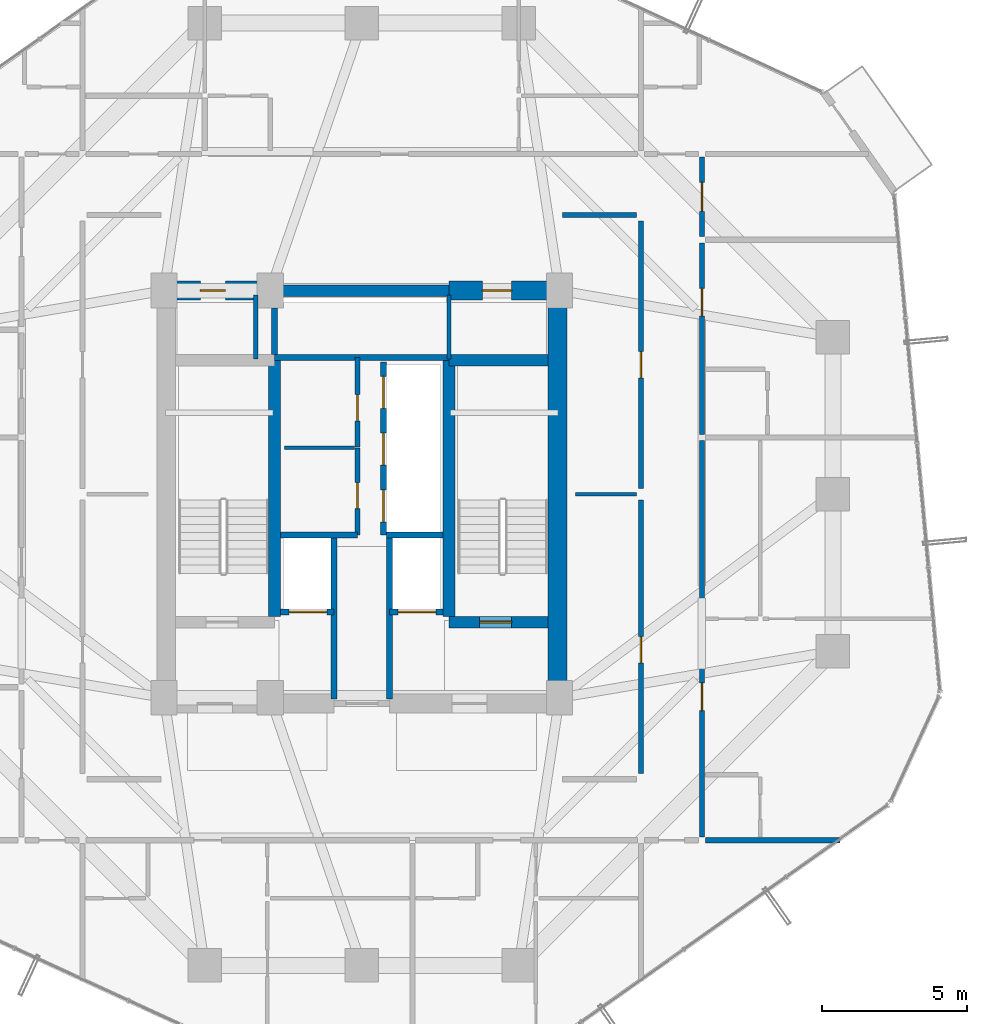
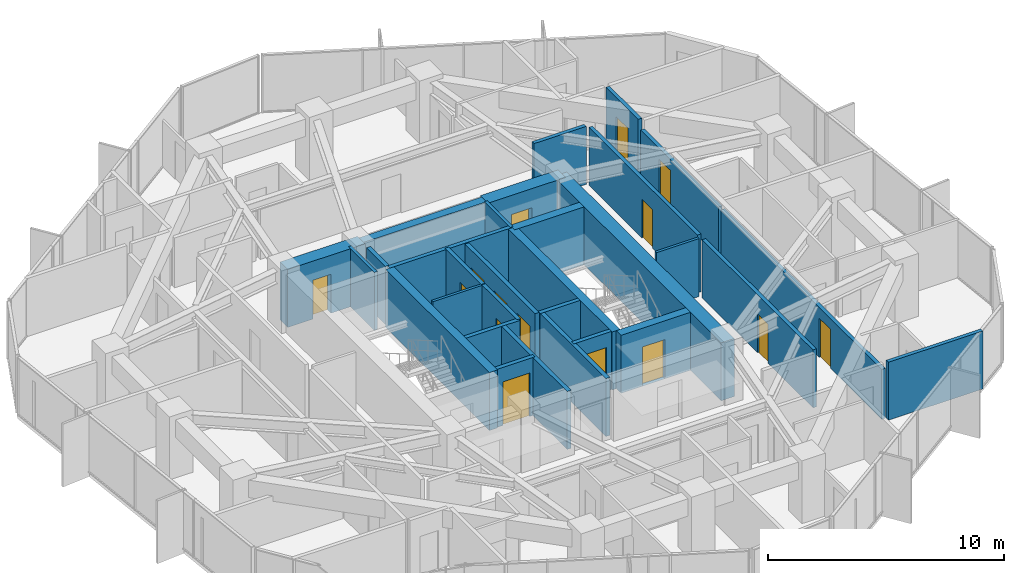
# One storey, part 29 of 33: 30 walls, 15 doors, 15 openings.
"""IFC4 building model written with IfcOpenShell, lengths in metres."""

from ifc_helpers import new_model, si_unit, direction, frame, frame_2d, origin, place, context, subcontext, project, spatial, rectangle, extrude, source, transform, mapped, material, layer, layer_set, type_object, element, fill, save


model = new_model("IFC4")

# Units and contexts
model_context = context("Model", 3, precision=1e-05, world=origin(), true_north=direction((0.0, 1.0)))
body_context = subcontext(model_context, "Body", "Model", "MODEL_VIEW")
ifc_project = project(units=[si_unit("LENGTHUNIT", "METRE"), si_unit("AREAUNIT", "SQUARE_METRE"), si_unit("VOLUMEUNIT", "CUBIC_METRE"), si_unit("PLANEANGLEUNIT", "RADIAN"), si_unit("MASSUNIT", "GRAM", prefix="KILO")], contexts=[model_context])

# Site, building, storey
site_placement = place(None, origin())
site = spatial("IfcSite", under=ifc_project, at=site_placement, CompositionType="ELEMENT")
building_placement = place(site_placement, origin())
building = spatial("IfcBuilding", under=site, at=building_placement, Name="Veraguas Prism Commons", CompositionType="ELEMENT")
storey_placement = place(building_placement, frame((0.0, 0.0, 145.75)))
storey = spatial("IfcBuildingStorey", under=building, at=storey_placement, Name="L41", CompositionType="ELEMENT", Elevation=145.75)

# Wall
ifc_material_1 = material(Name="Concrete C50/60", Category="concrete")
ifc_layer_1 = layer(ifc_material_1, 0.39990234375, Name="Clinic and Mid Core Shear Wall RC 400", Category="concrete")
ifc_layer_set_1 = layer_set([ifc_layer_1], Name="Concrete C50/60")
wall_type_1 = type_object("IfcWallType", Name="Clinic and Mid Core Shear Wall RC 400", PredefinedType="SHEAR", material=ifc_layer_set_1)
wall_1_placement = place(storey_placement, frame((21.0, 31.0, 0.0), z_axis=(0.0, 0.0, 1.0), x_axis=(1.0, 0.0, 0.0)))
element("IfcWall", 1, at=wall_1_placement, inside=storey, type_object=wall_type_1, Name="High-Rise Lift Bank Front Shear Wall L41", PredefinedType="SHEAR", context=body_context, shape_type="SweptSolid", body=[
    extrude(rectangle(XDim=6.0, YDim=0.39990234375, at=frame_2d((3.0, 0.0))), origin(), (0.0, 0.0, 1.0), 3.0),
])

# Wall, opening, door
wall_2_placement = place(storey_placement, frame((27.0, 19.60009765625, 0.0), z_axis=(0.0, 0.0, 1.0), x_axis=(1.0, 0.0, 0.0)))
wall_2 = element("IfcWall", 2, at=wall_2_placement, inside=storey, type_object=wall_type_1, Name="Stair ST-02 South Shear Wall L41", PredefinedType="SHEAR", context=body_context, shape_type="SweptSolid", body=[
    extrude(rectangle(XDim=3.39990234375, YDim=0.39990234375, at=frame_2d((1.699951171875, 0.0))), origin(), (0.0, 0.0, 1.0), 3.0),
])
opening_1_placement = place(wall_2_placement, frame((1.050048828125, 0.0, 0.0)))
opening_1 = element("IfcOpeningElement", 3, at=opening_1_placement, cuts=wall_2, Name="Opening DR-05", PredefinedType="OPENING", context=body_context, shape_type="SweptSolid", body=[
    extrude(rectangle(XDim=1.10009765625, YDim=2.030029296875, at=frame_2d((0.550048828125, 1.01513671875))), frame((0.0, 0.2099609375, 0.0), z_axis=(0.0, -1.0, 0.0), x_axis=(1.0, 0.0, 0.0)), (0.0, 0.0, 1.0), 0.419921875),
])
ifc_material_2 = material(Name="Steel fire-rated door assembly", Category="steel")
door_type_1 = type_object("IfcDoorType", Name="Protected Stair and Refuge Fire Door 1100x2030", OperationType="NOTDEFINED", PredefinedType="DOOR", material=ifc_material_2)
shared_shape_1 = source(origin(), body_context, "Body", "SweptSolid", [
    extrude(rectangle(XDim=1.10009765625, YDim=2.030029296875, at=frame_2d((0.550048828125, 1.01513671875))), frame((0.0, 0.02490234375, 0.0), z_axis=(0.0, -1.0, 0.0), x_axis=(1.0, 0.0, 0.0)), (0.0, 0.0, 1.0), 0.050048828125),
])
door_1_placement = place(opening_1_placement, origin())
door_1 = element("IfcDoor", 4, at=door_1_placement, inside=storey, type_object=door_type_1, Name="Stair ST-02 Enclosure Door L41", OperationType="SINGLE_SWING_LEFT", OverallHeight=2.030029296875, OverallWidth=1.10009765625, PredefinedType="DOOR", context=body_context, shape_type="MappedRepresentation", body=[
    mapped(shared_shape_1, transform((0.0, 0.0, 0.0), scale=1.0)),
])
fill(opening_1, door_1)

# Walls
for number, where, z_axis, x_axis, name in (
    (5, (21.0, 19.800048828125, 0.0), (0.0, 0.0, 1.0), (0.0, 1.0, 0.0), "Stair ST-01 Inner Shear Wall L41"),
    (6, (27.0, 19.800048828125, 0.0), (0.0, 0.0, 1.0), (0.0, 1.0, 0.0), "Stair ST-02 Inner Shear Wall L41"),
):
    element("IfcWall", number, at=place(storey_placement, frame(where, z_axis=z_axis, x_axis=x_axis)), inside=storey, type_object=wall_type_1, Name=name, PredefinedType="SHEAR", context=body_context, shape_type="SweptSolid", body=[
        extrude(rectangle(XDim=8.800048828125, YDim=0.39990234375, at=frame_2d((4.39990234375, 0.0))), origin(), (0.0, 0.0, 1.0), 3.0),
    ])
wall_3_placement = place(storey_placement, frame((27.0, 28.60009765625, 0.0), z_axis=(0.0, 0.0, 1.0), x_axis=(1.0, 0.0, 0.0)))
element("IfcWall", 7, at=wall_3_placement, inside=storey, type_object=wall_type_1, Name="Stair ST-02 North Shear Wall L41", PredefinedType="SHEAR", context=body_context, shape_type="SweptSolid", body=[
    extrude(rectangle(XDim=3.39990234375, YDim=0.39990234375, at=frame_2d((1.699951171875, 0.0))), origin(), (0.0, 0.0, 1.0), 3.0),
])
ifc_material_3 = material(Name="Concrete C55/67", Category="concrete")
ifc_layer_2 = layer(ifc_material_3, 0.64990234375, Name="Core Outer Shear Wall Mid RC 650", Category="concrete")
ifc_layer_set_2 = layer_set([ifc_layer_2], Name="Concrete C55/67")
wall_type_2 = type_object("IfcWallType", Name="Core Outer Shear Wall Mid RC 650", PredefinedType="SHEAR", material=ifc_layer_set_2)
wall_4_placement = place(storey_placement, frame((30.72509765625, 16.800048828125, 0.0), z_axis=(0.0, 0.0, 1.0), x_axis=(0.0, 1.0, 0.0)))
element("IfcWall", 8, at=wall_4_placement, inside=storey, type_object=wall_type_2, Name="Central Core East Shear Wall L41", PredefinedType="SHEAR", context=body_context, shape_type="SweptSolid", body=[
    extrude(rectangle(XDim=14.199951171875, YDim=0.64990234375, at=frame_2d((7.10009765625, 0.0))), origin(), (0.0, 0.0, 1.0), 3.0),
])

# Wall, opening, door
wall_5_placement = place(storey_placement, frame((17.199951171875, 31.0, 0.0), z_axis=(0.0, 0.0, 1.0), x_axis=(1.0, 0.0, 0.0)))
wall_5 = element("IfcWall", 9, at=wall_5_placement, inside=storey, type_object=wall_type_2, Name="Central Core North-West Shear Wall L41", PredefinedType="SHEAR", context=body_context, shape_type="SweptSolid", body=[
    extrude(rectangle(XDim=3.800048828125, YDim=0.64990234375, at=frame_2d((1.89990234375, 0.0))), origin(), (0.0, 0.0, 1.0), 3.0),
])
opening_2_placement = place(wall_5_placement, frame((1.25, 0.0, 0.0)))
opening_2 = element("IfcOpeningElement", 10, at=opening_2_placement, cuts=wall_5, Name="Opening DR-12", PredefinedType="OPENING", context=body_context, shape_type="SweptSolid", body=[
    extrude(rectangle(XDim=0.860107421875, YDim=2.010009765625, at=frame_2d((0.43017578125, 1.0048828125))), frame((0.0, 0.3349609375, 0.0), z_axis=(0.0, -1.0, 0.0), x_axis=(1.0, 0.0, 0.0)), (0.0, 0.0, 1.0), 0.669921875),
])
door_type_2 = type_object("IfcDoorType", Name="Core WC Fire Door 860x2010", OperationType="NOTDEFINED", PredefinedType="DOOR", material=ifc_material_2)
shared_shape_2 = source(origin(), body_context, "Body", "SweptSolid", [
    extrude(rectangle(XDim=0.860107421875, YDim=2.010009765625, at=frame_2d((0.43017578125, 1.0048828125))), frame((0.0, 0.02490234375, 0.0), z_axis=(0.0, -1.0, 0.0), x_axis=(1.0, 0.0, 0.0)), (0.0, 0.0, 1.0), 0.050048828125),
])
door_2_placement = place(opening_2_placement, origin())
door_2 = element("IfcDoor", 11, at=door_2_placement, inside=storey, type_object=door_type_2, Name="Core NW Service Door L41", OperationType="SINGLE_SWING_RIGHT", OverallHeight=2.010009765625, OverallWidth=0.860107421875, PredefinedType="DOOR", context=body_context, shape_type="MappedRepresentation", body=[
    mapped(shared_shape_2, transform((0.0, 0.0, 0.0), scale=1.0)),
])
fill(opening_2, door_2)

wall_6_placement = place(storey_placement, frame((27.0, 31.0, 0.0), z_axis=(0.0, 0.0, 1.0), x_axis=(1.0, 0.0, 0.0)))
wall_6 = element("IfcWall", 12, at=wall_6_placement, inside=storey, type_object=wall_type_2, Name="Central Core North-East Shear Wall L41", PredefinedType="SHEAR", context=body_context, shape_type="SweptSolid", body=[
    extrude(rectangle(XDim=3.800048828125, YDim=0.64990234375, at=frame_2d((1.89990234375, 0.0))), origin(), (0.0, 0.0, 1.0), 3.0),
])
opening_3_placement = place(wall_6_placement, frame((1.14990234375, 0.0, 0.0)))
opening_3 = element("IfcOpeningElement", 13, at=opening_3_placement, cuts=wall_6, Name="Opening DR-13", PredefinedType="OPENING", context=body_context, shape_type="SweptSolid", body=[
    extrude(rectangle(XDim=1.0, YDim=2.010009765625, at=frame_2d((0.5, 1.0048828125))), frame((0.0, 0.3349609375, 0.0), z_axis=(0.0, -1.0, 0.0), x_axis=(1.0, 0.0, 0.0)), (0.0, 0.0, 1.0), 0.669921875),
])
door_type_3 = type_object("IfcDoorType", Name="Core Accessible WC and Clinic Fire Door 1000x2010", OperationType="NOTDEFINED", PredefinedType="DOOR", material=ifc_material_2)
shared_shape_3 = source(origin(), body_context, "Body", "SweptSolid", [
    extrude(rectangle(XDim=1.0, YDim=2.010009765625, at=frame_2d((0.5, 1.0048828125))), frame((0.0, 0.02490234375, 0.0), z_axis=(0.0, -1.0, 0.0), x_axis=(1.0, 0.0, 0.0)), (0.0, 0.0, 1.0), 0.050048828125),
])
door_3_placement = place(opening_3_placement, origin())
door_3 = element("IfcDoor", 14, at=door_3_placement, inside=storey, type_object=door_type_3, Name="Core NE Pantry Door L41", OperationType="SINGLE_SWING_LEFT", OverallHeight=2.010009765625, OverallWidth=1.0, PredefinedType="DOOR", context=body_context, shape_type="MappedRepresentation", body=[
    mapped(shared_shape_3, transform((0.0, 0.0, 0.0), scale=1.0)),
])
fill(opening_3, door_3)

ifc_material_4 = material(Name="Autoclaved aerated masonry block 10 MPa", Category="masonry")
ifc_layer_3 = layer(ifc_material_4, 0.179931640625, Name="Corridor and Inter-Tenancy Partition 180", Category="masonry")
ifc_layer_set_3 = layer_set([ifc_layer_3], Name="Autoclaved aerated masonry block 10 MPa")
wall_type_3 = type_object("IfcWallType", Name="Corridor and Inter-Tenancy Partition 180", PredefinedType="PARTITIONING", material=ifc_layer_set_3)
wall_7_placement = place(storey_placement, frame((23.85009765625, 22.60009765625, 0.0), z_axis=(0.0, 0.0, 1.0), x_axis=(0.0, 1.0, 0.0)))
wall_7 = element("IfcWall", 15, at=wall_7_placement, inside=storey, type_object=wall_type_3, Name="Co-op Pantry Partition L41", PredefinedType="PARTITIONING", context=body_context, shape_type="SweptSolid", body=[
    extrude(rectangle(XDim=2.97998046875, YDim=0.179931640625, at=frame_2d((1.489990234375, 0.0))), origin(), (0.0, 0.0, 1.0), 3.0),
])
opening_4_placement = place(wall_7_placement, frame((0.89990234375, 0.0, 0.0)))
opening_4 = element("IfcOpeningElement", 16, at=opening_4_placement, cuts=wall_7, Name="Opening DR-14", PredefinedType="OPENING", context=body_context, shape_type="SweptSolid", body=[
    extrude(rectangle(XDim=0.89990234375, YDim=2.010009765625, at=frame_2d((0.449951171875, 1.0048828125))), frame((0.0, 0.099853515625, 0.0), z_axis=(0.0, -1.0, 0.0), x_axis=(1.0, 0.0, 0.0)), (0.0, 0.0, 1.0), 0.199951171875),
])
door_type_4 = type_object("IfcDoorType", Name="Core Service Room Fire Door 900x2010", OperationType="NOTDEFINED", PredefinedType="DOOR", material=ifc_material_2)
shared_shape_4 = source(origin(), body_context, "Body", "SweptSolid", [
    extrude(rectangle(XDim=0.89990234375, YDim=2.010009765625, at=frame_2d((0.449951171875, 1.0048828125))), frame((0.0, 0.02490234375, 0.0), z_axis=(0.0, -1.0, 0.0), x_axis=(1.0, 0.0, 0.0)), (0.0, 0.0, 1.0), 0.050048828125),
])
door_4_placement = place(opening_4_placement, origin())
door_4 = element("IfcDoor", 17, at=door_4_placement, inside=storey, type_object=door_type_4, Name="Co-op Pantry Door L41", OperationType="SINGLE_SWING_RIGHT", OverallHeight=2.010009765625, OverallWidth=0.89990234375, PredefinedType="DOOR", context=body_context, shape_type="MappedRepresentation", body=[
    mapped(shared_shape_4, transform((0.0, 0.0, 0.0), scale=1.0)),
])
fill(opening_4, door_4)

wall_8_placement = place(storey_placement, frame((23.85009765625, 25.6201171875, 0.0), z_axis=(0.0, 0.0, 1.0), x_axis=(0.0, 1.0, 0.0)))
wall_8 = element("IfcWall", 18, at=wall_8_placement, inside=storey, type_object=wall_type_3, Name="Bookshop Alcove Partition L41", PredefinedType="PARTITIONING", context=body_context, shape_type="SweptSolid", body=[
    extrude(rectangle(XDim=3.079833984375, YDim=0.179931640625, at=frame_2d((1.5400390625, 0.0))), origin(), (0.0, 0.0, 1.0), 3.0),
])
opening_5_placement = place(wall_8_placement, frame((0.89990234375, 0.0, 0.0)))
opening_5 = element("IfcOpeningElement", 19, at=opening_5_placement, cuts=wall_8, Name="Opening DR-14", PredefinedType="OPENING", context=body_context, shape_type="SweptSolid", body=[
    extrude(rectangle(XDim=0.89990234375, YDim=2.010009765625, at=frame_2d((0.449951171875, 1.0048828125))), frame((0.0, 0.099853515625, 0.0), z_axis=(0.0, -1.0, 0.0), x_axis=(1.0, 0.0, 0.0)), (0.0, 0.0, 1.0), 0.199951171875),
])
door_5_placement = place(opening_5_placement, origin())
door_5 = element("IfcDoor", 20, at=door_5_placement, inside=storey, type_object=door_type_4, Name="Bookshop Alcove Door L41", OperationType="SINGLE_SWING_LEFT", OverallHeight=2.010009765625, OverallWidth=0.89990234375, PredefinedType="DOOR", context=body_context, shape_type="MappedRepresentation", body=[
    mapped(shared_shape_4, transform((0.0, 0.0, 0.0), scale=1.0)),
])
fill(opening_5, door_5)

wall_9_placement = place(storey_placement, frame((33.60009765625, 14.39990234375, 0.0), z_axis=(0.0, 0.0, 1.0), x_axis=(0.0, 1.0, 0.0)))
wall_9 = element("IfcWall", 21, at=wall_9_placement, inside=storey, type_object=wall_type_3, Name="WL-L41-IRE1", PredefinedType="PARTITIONING", context=body_context, shape_type="SweptSolid", body=[
    extrude(rectangle(XDim=9.400146484375, YDim=0.179931640625, at=frame_2d((4.7001953125, 0.0))), origin(), (0.0, 0.0, 1.0), 3.0),
])
opening_6_placement = place(wall_9_placement, frame((3.800048828125, 0.0, 0.0)))
opening_6 = element("IfcOpeningElement", 22, at=opening_6_placement, cuts=wall_9, Name="Opening DR-14", PredefinedType="OPENING", context=body_context, shape_type="SweptSolid", body=[
    extrude(rectangle(XDim=0.89990234375, YDim=2.010009765625, at=frame_2d((0.449951171875, 1.0048828125))), frame((0.0, 0.099853515625, 0.0), z_axis=(0.0, -1.0, 0.0), x_axis=(1.0, 0.0, 0.0)), (0.0, 0.0, 1.0), 0.199951171875),
])
door_6_placement = place(opening_6_placement, origin())
door_6 = element("IfcDoor", 23, at=door_6_placement, inside=storey, type_object=door_type_4, Name="Shared Laundry Annex Door L41", OperationType="SINGLE_SWING_RIGHT", OverallHeight=2.010009765625, OverallWidth=0.89990234375, PredefinedType="DOOR", context=body_context, shape_type="MappedRepresentation", body=[
    mapped(shared_shape_4, transform((0.0, 0.0, 0.0), scale=1.0)),
])
fill(opening_6, door_6)

wall_10_placement = place(storey_placement, frame((33.60009765625, 24.199951171875, 0.0), z_axis=(0.0, 0.0, 1.0), x_axis=(0.0, 1.0, 0.0)))
wall_10 = element("IfcWall", 24, at=wall_10_placement, inside=storey, type_object=wall_type_3, Name="WL-L41-IRE2", PredefinedType="PARTITIONING", context=body_context, shape_type="SweptSolid", body=[
    extrude(rectangle(XDim=9.199951171875, YDim=0.179931640625, at=frame_2d((4.60009765625, 0.0))), origin(), (0.0, 0.0, 1.0), 3.0),
])
opening_7_placement = place(wall_10_placement, frame((3.800048828125, 0.0, 0.0)))
opening_7 = element("IfcOpeningElement", 25, at=opening_7_placement, cuts=wall_10, Name="Opening DR-14", PredefinedType="OPENING", context=body_context, shape_type="SweptSolid", body=[
    extrude(rectangle(XDim=0.89990234375, YDim=2.010009765625, at=frame_2d((0.449951171875, 1.0048828125))), frame((0.0, 0.099853515625, 0.0), z_axis=(0.0, -1.0, 0.0), x_axis=(1.0, 0.0, 0.0)), (0.0, 0.0, 1.0), 0.199951171875),
])
door_7_placement = place(opening_7_placement, origin())
door_7 = element("IfcDoor", 26, at=door_7_placement, inside=storey, type_object=door_type_4, Name="Community Reading Alcove Door L41", OperationType="SINGLE_SWING_LEFT", OverallHeight=2.010009765625, OverallWidth=0.89990234375, PredefinedType="DOOR", context=body_context, shape_type="MappedRepresentation", body=[
    mapped(shared_shape_4, transform((0.0, 0.0, 0.0), scale=1.0)),
])
fill(opening_7, door_7)

# Walls
wall_11_placement = place(storey_placement, frame((30.89990234375, 33.60009765625, 0.0), z_axis=(0.0, 0.0, 1.0), x_axis=(1.0, 0.0, 0.0)))
element("IfcWall", 27, at=wall_11_placement, inside=storey, type_object=wall_type_3, Name="WL-L41-IREN", PredefinedType="PARTITIONING", context=body_context, shape_type="SweptSolid", body=[
    extrude(rectangle(XDim=2.550048828125, YDim=0.179931640625, at=frame_2d((1.27490234375, 0.0))), origin(), (0.0, 0.0, 1.0), 3.0),
])
wall_12_placement = place(storey_placement, frame((35.820068359375, 12.10009765625, 0.0), z_axis=(0.0, 0.0, 1.0), x_axis=(1.0, 0.0, 0.0)))
element("IfcWall", 28, at=wall_12_placement, inside=storey, type_object=wall_type_3, Name="WL-L41-PT037", PredefinedType="PARTITIONING", context=body_context, shape_type="SweptSolid", body=[
    extrude(rectangle(XDim=4.62451171875, YDim=0.179931640625, at=frame_2d((2.312255859375, 0.0))), origin(), (0.0, 0.0, 1.0), 3.0),
])

# Wall, opening, door
wall_13_placement = place(storey_placement, frame((35.699951171875, 12.2099609375, 0.0), z_axis=(0.0, 0.0, 1.0), x_axis=(0.0, 1.0, 0.0)))
wall_13 = element("IfcWall", 29, at=wall_13_placement, inside=storey, type_object=wall_type_3, Name="WL-L41-PT039", PredefinedType="PARTITIONING", context=body_context, shape_type="SweptSolid", body=[
    extrude(rectangle(XDim=13.6279296875, YDim=0.179931640625, at=frame_2d((6.81396484375, 0.0))), origin(), (0.0, 0.0, 1.0), 2.580078125),
])
opening_8_placement = place(wall_13_placement, frame((4.347900390625, 0.0, 0.0)))
opening_8 = element("IfcOpeningElement", 30, at=opening_8_placement, cuts=wall_13, Name="Opening DR-01", PredefinedType="OPENING", context=body_context, shape_type="SweptSolid", body=[
    extrude(rectangle(XDim=0.949951171875, YDim=2.02001953125, at=frame_2d((0.47509765625, 1.010009765625))), frame((0.0, 0.099853515625, 0.0), z_axis=(0.0, -1.0, 0.0), x_axis=(1.0, 0.0, 0.0)), (0.0, 0.0, 1.0), 0.199951171875),
])
ifc_material_5 = material(Name="Anodised aluminium EN AW-6063 T6", Category="aluminium")
door_type_5 = type_object("IfcDoorType", Name="Apartment Entrance Fire Door 950x2020", OperationType="NOTDEFINED", PredefinedType="DOOR", material=ifc_material_5)
shared_shape_5 = source(origin(), body_context, "Body", "SweptSolid", [
    extrude(rectangle(XDim=0.949951171875, YDim=2.02001953125, at=frame_2d((0.47509765625, 1.010009765625))), frame((0.0, 0.02490234375, 0.0), z_axis=(0.0, -1.0, 0.0), x_axis=(1.0, 0.0, 0.0)), (0.0, 0.0, 1.0), 0.050048828125),
])
door_8_placement = place(opening_8_placement, origin())
door_8 = element("IfcDoor", 31, at=door_8_placement, inside=storey, type_object=door_type_5, Name="Flat 41D Entrance Door", OperationType="SINGLE_SWING_RIGHT", OverallHeight=2.02001953125, OverallWidth=0.949951171875, PredefinedType="DOOR", context=body_context, shape_type="MappedRepresentation", body=[
    mapped(shared_shape_5, transform((0.0, 0.0, 0.0), scale=1.0)),
])
fill(opening_8, door_8)

wall_14_placement = place(storey_placement, frame((35.699951171875, 32.860107421875, 0.0), z_axis=(0.0, 0.0, 1.0), x_axis=(0.0, 1.0, 0.0)))
wall_14 = element("IfcWall", 32, at=wall_14_placement, inside=storey, type_object=wall_type_3, Name="WL-L41-PT046", PredefinedType="PARTITIONING", context=body_context, shape_type="SweptSolid", body=[
    extrude(rectangle(XDim=2.72998046875, YDim=0.179931640625, at=frame_2d((1.364990234375, 0.0))), origin(), (0.0, 0.0, 1.0), 3.0),
])
opening_9_placement = place(wall_14_placement, frame((0.864990234375, 0.0, 0.0)))
opening_9 = element("IfcOpeningElement", 33, at=opening_9_placement, cuts=wall_14, Name="Opening DR-13", PredefinedType="OPENING", context=body_context, shape_type="SweptSolid", body=[
    extrude(rectangle(XDim=1.0, YDim=2.010009765625, at=frame_2d((0.5, 1.0048828125))), frame((0.0, 0.099853515625, 0.0), z_axis=(0.0, -1.0, 0.0), x_axis=(1.0, 0.0, 0.0)), (0.0, 0.0, 1.0), 0.199951171875),
])
door_9_placement = place(opening_9_placement, origin())
door_9 = element("IfcDoor", 34, at=door_9_placement, inside=storey, type_object=door_type_3, Name="Quiet Study E Door", OperationType="SINGLE_SWING_RIGHT", OverallHeight=2.010009765625, OverallWidth=1.0, PredefinedType="DOOR", context=body_context, shape_type="MappedRepresentation", body=[
    mapped(shared_shape_3, transform((0.0, 0.0, 0.0), scale=1.0)),
])
fill(opening_9, door_9)

wall_15_placement = place(storey_placement, frame((35.699951171875, 26.05810546875, 0.0), z_axis=(0.0, 0.0, 1.0), x_axis=(0.0, 1.0, 0.0)))
wall_15 = element("IfcWall", 35, at=wall_15_placement, inside=storey, type_object=wall_type_3, Name="WL-L41-PT048", PredefinedType="PARTITIONING", context=body_context, shape_type="SweptSolid", body=[
    extrude(rectangle(XDim=6.581787109375, YDim=0.179931640625, at=frame_2d((3.291015625, 0.0))), origin(), (0.0, 0.0, 1.0), 2.580078125),
])
opening_10_placement = place(wall_15_placement, frame((4.07177734375, 0.0, 0.0)))
opening_10 = element("IfcOpeningElement", 36, at=opening_10_placement, cuts=wall_15, Name="Opening DR-01", PredefinedType="OPENING", context=body_context, shape_type="SweptSolid", body=[
    extrude(rectangle(XDim=0.949951171875, YDim=2.02001953125, at=frame_2d((0.47509765625, 1.010009765625))), frame((0.0, 0.099853515625, 0.0), z_axis=(0.0, -1.0, 0.0), x_axis=(1.0, 0.0, 0.0)), (0.0, 0.0, 1.0), 0.199951171875),
])
door_10_placement = place(opening_10_placement, origin())
door_10 = element("IfcDoor", 37, at=door_10_placement, inside=storey, type_object=door_type_5, Name="Studio 41E Entrance Door", OperationType="SINGLE_SWING_LEFT", OverallHeight=2.02001953125, OverallWidth=0.949951171875, PredefinedType="DOOR", context=body_context, shape_type="MappedRepresentation", body=[
    mapped(shared_shape_5, transform((0.0, 0.0, 0.0), scale=1.0)),
])
fill(opening_10, door_10)

# Walls
ifc_material_6 = material(Name="Lightweight acoustic gypsum board")
ifc_layer_4 = layer(ifc_material_6, 0.125, Name="Internal Apartment Room Partition 125")
ifc_layer_set_4 = layer_set([ifc_layer_4], Name="Lightweight acoustic gypsum board")
wall_type_4 = type_object("IfcWallType", Name="Internal Apartment Room Partition 125", PredefinedType="PARTITIONING", material=ifc_layer_set_4)
wall_16_placement = place(storey_placement, frame((21.35009765625, 25.60009765625, 0.0), z_axis=(0.0, 0.0, 1.0), x_axis=(1.0, 0.0, 0.0)))
element("IfcWall", 38, at=wall_16_placement, inside=storey, type_object=wall_type_4, Name="WL-L41-FRWLM", PredefinedType="PARTITIONING", context=body_context, shape_type="SweptSolid", body=[
    extrude(rectangle(XDim=2.39990234375, YDim=0.125, at=frame_2d((1.199951171875, 0.0))), origin(), (0.0, 0.0, 1.0), 3.0),
])
wall_17_placement = place(storey_placement, frame((31.35009765625, 24.0, 0.0), z_axis=(0.0, 0.0, 1.0), x_axis=(1.0, 0.0, 0.0)))
element("IfcWall", 39, at=wall_17_placement, inside=storey, type_object=wall_type_4, Name="WL-L41-IREM", PredefinedType="PARTITIONING", context=body_context, shape_type="SweptSolid", body=[
    extrude(rectangle(XDim=2.099853515625, YDim=0.125, at=frame_2d((1.0498046875, 0.0))), origin(), (0.0, 0.0, 1.0), 3.0),
])

# Wall, opening, door
ifc_layer_5 = layer(ifc_material_4, 0.199951171875, Name="Rated Shaft and Lobby Block Wall 200", Category="masonry")
ifc_layer_set_5 = layer_set([ifc_layer_5], Name="Autoclaved aerated masonry block 10 MPa")
wall_type_5 = type_object("IfcWallType", Name="Rated Shaft and Lobby Block Wall 200", PredefinedType="SOLIDWALL", material=ifc_layer_set_5)
wall_18_placement = place(storey_placement, frame((21.199951171875, 19.949951171875, 0.0), z_axis=(0.0, 0.0, 1.0), x_axis=(1.0, 0.0, 0.0)))
wall_18 = element("IfcWall", 40, at=wall_18_placement, inside=storey, type_object=wall_type_5, Name="Firefighting Lift FFL-1 Front Wall L41", PredefinedType="SOLIDWALL", context=body_context, shape_type="SweptSolid", body=[
    extrude(rectangle(XDim=1.85009765625, YDim=0.199951171875, at=frame_2d((0.925048828125, 0.0))), origin(), (0.0, 0.0, 1.0), 3.0),
])
opening_11_placement = place(wall_18_placement, frame((0.300048828125, 0.0, 0.0)))
opening_11 = element("IfcOpeningElement", 41, at=opening_11_placement, cuts=wall_18, Name="Opening LD-02", PredefinedType="OPENING", context=body_context, shape_type="SweptSolid", body=[
    extrude(rectangle(XDim=1.300048828125, YDim=2.25, at=frame_2d((0.64990234375, 1.125))), frame((0.0, 0.10986328125, 0.0), z_axis=(0.0, -1.0, 0.0), x_axis=(1.0, 0.0, 0.0)), (0.0, 0.0, 1.0), 0.219970703125),
])
ifc_material_7 = material(Name="Stainless steel AISI 316", Category="steel")
door_type_6 = type_object("IfcDoorType", Name="Firefighting Lift Sliding Landing Door 1300x2250", OperationType="NOTDEFINED", PredefinedType="DOOR", material=ifc_material_7)
shared_shape_6 = source(origin(), body_context, "Body", "SweptSolid", [
    extrude(rectangle(XDim=1.300048828125, YDim=2.25, at=frame_2d((0.64990234375, 1.125))), frame((0.0, 0.02490234375, 0.0), z_axis=(0.0, -1.0, 0.0), x_axis=(1.0, 0.0, 0.0)), (0.0, 0.0, 1.0), 0.050048828125),
])
door_11_placement = place(opening_11_placement, origin())
door_11 = element("IfcDoor", 42, at=door_11_placement, inside=storey, type_object=door_type_6, Name="Firefighting Lift FFL-1 Landing Door L41", OperationType="SLIDING_TO_LEFT", OverallHeight=2.25, OverallWidth=1.300048828125, PredefinedType="DOOR", context=body_context, shape_type="MappedRepresentation", body=[
    mapped(shared_shape_6, transform((0.0, 0.0, 0.0), scale=1.0)),
])
fill(opening_11, door_11)

wall_19_placement = place(storey_placement, frame((24.949951171875, 19.949951171875, 0.0), z_axis=(0.0, 0.0, 1.0), x_axis=(1.0, 0.0, 0.0)))
wall_19 = element("IfcWall", 43, at=wall_19_placement, inside=storey, type_object=wall_type_5, Name="Firefighting Lift FFL-2 Front Wall L41", PredefinedType="SOLIDWALL", context=body_context, shape_type="SweptSolid", body=[
    extrude(rectangle(XDim=1.85009765625, YDim=0.199951171875, at=frame_2d((0.925048828125, 0.0))), origin(), (0.0, 0.0, 1.0), 3.0),
])
opening_12_placement = place(wall_19_placement, frame((0.300048828125, 0.0, 0.0)))
opening_12 = element("IfcOpeningElement", 44, at=opening_12_placement, cuts=wall_19, Name="Opening LD-02", PredefinedType="OPENING", context=body_context, shape_type="SweptSolid", body=[
    extrude(rectangle(XDim=1.300048828125, YDim=2.25, at=frame_2d((0.64990234375, 1.125))), frame((0.0, 0.10986328125, 0.0), z_axis=(0.0, -1.0, 0.0), x_axis=(1.0, 0.0, 0.0)), (0.0, 0.0, 1.0), 0.219970703125),
])
door_12_placement = place(opening_12_placement, origin())
door_12 = element("IfcDoor", 45, at=door_12_placement, inside=storey, type_object=door_type_6, Name="Firefighting Lift FFL-2 Front Wall L41", OperationType="SLIDING_TO_LEFT", OverallHeight=2.25, OverallWidth=1.300048828125, PredefinedType="DOOR", context=body_context, shape_type="MappedRepresentation", body=[
    mapped(shared_shape_6, transform((0.0, 0.0, 0.0), scale=1.0)),
])
fill(opening_12, door_12)

# Walls
for number, where, z_axis, x_axis, name in (
    (46, (23.050048828125, 16.949951171875, 0.0), (0.0, 0.0, 1.0), (0.0, 1.0, 0.0), "West FF Lobby Divider Wall L41"),
    (47, (24.949951171875, 16.949951171875, 0.0), (0.0, 0.0, 1.0), (0.0, 1.0, 0.0), "East FF Lobby Divider Wall L41"),
):
    element("IfcWall", number, at=place(storey_placement, frame(where, z_axis=z_axis, x_axis=x_axis)), inside=storey, type_object=wall_type_5, Name=name, PredefinedType="SOLIDWALL", context=body_context, shape_type="SweptSolid", body=[
        extrude(rectangle(XDim=5.60009765625, YDim=0.199951171875, at=frame_2d((2.800048828125, 0.0))), origin(), (0.0, 0.0, 1.0), 3.0),
    ])
wall_20_placement = place(storey_placement, frame((21.199951171875, 22.60009765625, 0.0), z_axis=(0.0, 0.0, 1.0), x_axis=(1.0, 0.0, 0.0)))
element("IfcWall", 48, at=wall_20_placement, inside=storey, type_object=wall_type_5, Name="Firefighting Lift FFL-1 Rear Wall L41", PredefinedType="SOLIDWALL", context=body_context, shape_type="SweptSolid", body=[
    extrude(rectangle(XDim=2.650146484375, YDim=0.199951171875, at=frame_2d((1.3251953125, 0.0))), origin(), (0.0, 0.0, 1.0), 3.0),
])
wall_21_placement = place(storey_placement, frame((24.85009765625, 22.60009765625, 0.0), z_axis=(0.0, 0.0, 1.0), x_axis=(1.0, 0.0, 0.0)))
element("IfcWall", 49, at=wall_21_placement, inside=storey, type_object=wall_type_5, Name="Firefighting Lift FFL-2 Rear Wall L41", PredefinedType="SOLIDWALL", context=body_context, shape_type="SweptSolid", body=[
    extrude(rectangle(XDim=1.949951171875, YDim=0.199951171875, at=frame_2d((0.97509765625, 0.0))), origin(), (0.0, 0.0, 1.0), 3.0),
])
wall_22_placement = place(storey_placement, frame((21.0, 28.699951171875, 0.0), z_axis=(0.0, 0.0, 1.0), x_axis=(1.0, 0.0, 0.0)))
element("IfcWall", 50, at=wall_22_placement, inside=storey, type_object=wall_type_5, Name="High-Rise Lift Bank Rear Shaft Wall L41", PredefinedType="SOLIDWALL", context=body_context, shape_type="SweptSolid", body=[
    extrude(rectangle(XDim=6.0, YDim=0.199951171875, at=frame_2d((3.0, 0.0))), origin(), (0.0, 0.0, 1.0), 3.0),
])
wall_23_placement = place(storey_placement, frame((21.0, 28.800048828125, 0.0), z_axis=(0.0, 0.0, 1.0), x_axis=(0.0, 1.0, 0.0)))
element("IfcWall", 51, at=wall_23_placement, inside=storey, type_object=wall_type_5, Name="High-Rise Lift Bank West Shaft Wall L41", PredefinedType="SOLIDWALL", context=body_context, shape_type="SweptSolid", body=[
    extrude(rectangle(XDim=1.599853515625, YDim=0.199951171875, at=frame_2d((0.7998046875, 0.0))), origin(), (0.0, 0.0, 1.0), 3.0),
])

# Wall, openings, doors
wall_24_placement = place(storey_placement, frame((24.75, 22.60009765625, 0.0), z_axis=(0.0, 0.0, 1.0), x_axis=(0.0, 1.0, 0.0)))
wall_24 = element("IfcWall", 52, at=wall_24_placement, inside=storey, type_object=wall_type_5, Name="Mid-Rise Lift Bank Front Wall L41", PredefinedType="SOLIDWALL", context=body_context, shape_type="SweptSolid", body=[
    extrude(rectangle(XDim=5.949951171875, YDim=0.199951171875, at=frame_2d((2.97509765625, 0.0))), origin(), (0.0, 0.0, 1.0), 3.0),
])
opening_13_placement = place(wall_24_placement, frame((0.449951171875, 0.0, 0.0)))
opening_13 = element("IfcOpeningElement", 53, at=opening_13_placement, cuts=wall_24, Name="Opening LD-01", PredefinedType="OPENING", context=body_context, shape_type="SweptSolid", body=[
    extrude(rectangle(XDim=1.10009765625, YDim=2.080078125, at=frame_2d((0.550048828125, 1.0400390625))), frame((0.0, 0.10986328125, 0.0), z_axis=(0.0, -1.0, 0.0), x_axis=(1.0, 0.0, 0.0)), (0.0, 0.0, 1.0), 0.219970703125),
])
opening_14_placement = place(wall_24_placement, frame((2.39990234375, 0.0, 0.0)))
opening_14 = element("IfcOpeningElement", 54, at=opening_14_placement, cuts=wall_24, Name="Opening LD-01", PredefinedType="OPENING", context=body_context, shape_type="SweptSolid", body=[
    extrude(rectangle(XDim=1.10009765625, YDim=2.080078125, at=frame_2d((0.550048828125, 1.0400390625))), frame((0.0, 0.10986328125, 0.0), z_axis=(0.0, -1.0, 0.0), x_axis=(1.0, 0.0, 0.0)), (0.0, 0.0, 1.0), 0.219970703125),
])
opening_15_placement = place(wall_24_placement, frame((4.35009765625, 0.0, 0.0)))
opening_15 = element("IfcOpeningElement", 55, at=opening_15_placement, cuts=wall_24, Name="Opening LD-01", PredefinedType="OPENING", context=body_context, shape_type="SweptSolid", body=[
    extrude(rectangle(XDim=1.10009765625, YDim=2.080078125, at=frame_2d((0.550048828125, 1.0400390625))), frame((0.0, 0.10986328125, 0.0), z_axis=(0.0, -1.0, 0.0), x_axis=(1.0, 0.0, 0.0)), (0.0, 0.0, 1.0), 0.219970703125),
])
door_type_7 = type_object("IfcDoorType", Name="Passenger Lift Sliding Landing Door 1100x2080", OperationType="NOTDEFINED", PredefinedType="DOOR", material=ifc_material_7)
shared_shape_7 = source(origin(), body_context, "Body", "SweptSolid", [
    extrude(rectangle(XDim=1.10009765625, YDim=2.080078125, at=frame_2d((0.550048828125, 1.0400390625))), frame((0.0, 0.02490234375, 0.0), z_axis=(0.0, -1.0, 0.0), x_axis=(1.0, 0.0, 0.0)), (0.0, 0.0, 1.0), 0.050048828125),
])
door_13_placement = place(opening_13_placement, origin())
door_13 = element("IfcDoor", 56, at=door_13_placement, inside=storey, type_object=door_type_7, Name="Sliding Landing Door PL-M1 L41", OperationType="SLIDING_TO_LEFT", OverallHeight=2.080078125, OverallWidth=1.10009765625, PredefinedType="DOOR", context=body_context, shape_type="MappedRepresentation", body=[
    mapped(shared_shape_7, transform((0.0, 0.0, 0.0), scale=1.0)),
])
fill(opening_13, door_13)
door_14_placement = place(opening_14_placement, origin())
door_14 = element("IfcDoor", 57, at=door_14_placement, inside=storey, type_object=door_type_7, Name="Sliding Landing Door PL-M2 L41", OperationType="SLIDING_TO_LEFT", OverallHeight=2.080078125, OverallWidth=1.10009765625, PredefinedType="DOOR", context=body_context, shape_type="MappedRepresentation", body=[
    mapped(shared_shape_7, transform((0.0, 0.0, 0.0), scale=1.0)),
])
fill(opening_14, door_14)
door_15_placement = place(opening_15_placement, origin())
door_15 = element("IfcDoor", 58, at=door_15_placement, inside=storey, type_object=door_type_7, Name="Sliding Landing Door PL-M3 L41", OperationType="SLIDING_TO_LEFT", OverallHeight=2.080078125, OverallWidth=1.10009765625, PredefinedType="DOOR", context=body_context, shape_type="MappedRepresentation", body=[
    mapped(shared_shape_7, transform((0.0, 0.0, 0.0), scale=1.0)),
])
fill(opening_15, door_15)

# Walls
ifc_layer_6 = layer(ifc_material_6, 0.14990234375, Name="Wet Room and Clinic Acoustic Partition 150")
ifc_layer_set_6 = layer_set([ifc_layer_6], Name="Lightweight acoustic gypsum board")
wall_type_6 = type_object("IfcWallType", Name="Wet Room and Clinic Acoustic Partition 150", PredefinedType="PARTITIONING", material=ifc_layer_set_6)
for number, where, z_axis, x_axis, name in (
    (59, (20.35009765625, 28.64990234375, 0.0), (0.0, 0.0, 1.0), (0.0, 1.0, 0.0), "Core NW Service Inner Wall L41"),
    (60, (27.0, 28.64990234375, 0.0), (0.0, 0.0, 1.0), (0.0, 1.0, 0.0), "Core NE Service Inner Wall L41"),
):
    element("IfcWall", number, at=place(storey_placement, frame(where, z_axis=z_axis, x_axis=x_axis)), inside=storey, type_object=wall_type_6, Name=name, PredefinedType="PARTITIONING", context=body_context, shape_type="SweptSolid", body=[
        extrude(rectangle(XDim=2.2001953125, YDim=0.14990234375, at=frame_2d((1.10009765625, 0.0))), origin(), (0.0, 0.0, 1.0), 3.0),
    ])

save(model, "model.ifc")
